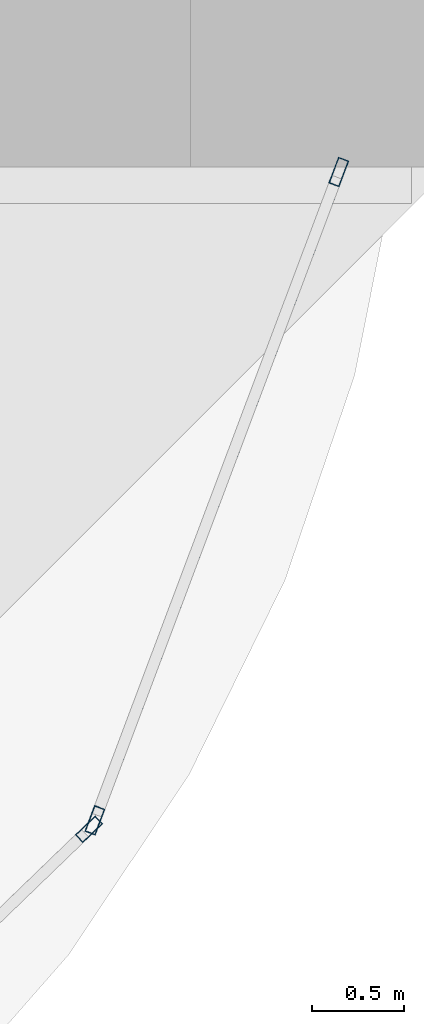
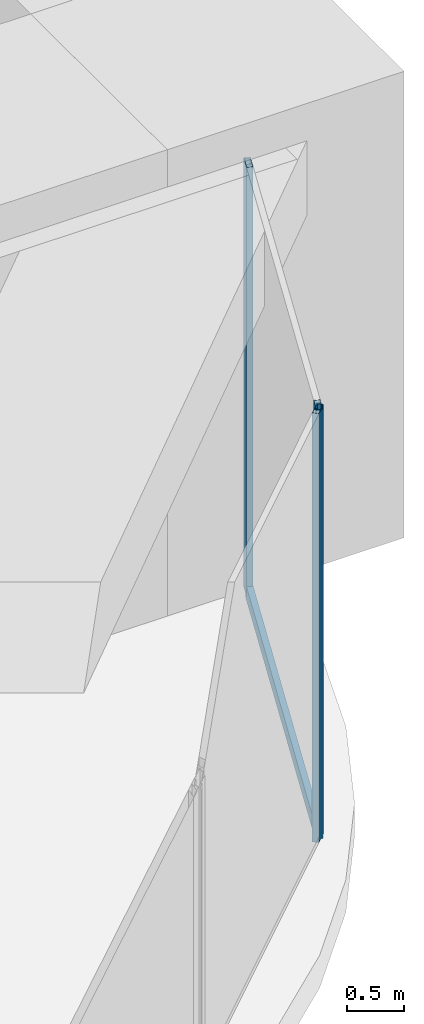
# One storey, part 18 of 38: 4 members, 2 elements without a shape of their own.
"""IFC4 building model written with IfcOpenShell, lengths in metres."""

from ifc_helpers import new_model, si_unit, direction, frame, origin, origin_2d, place, context, subcontext, project, spatial, hollow_rectangle, extrude, material, material_profile, profile_set, type_object, element, aggregate, save


model = new_model("IFC4")

# Units and contexts
model_context = context("Model", 3, precision=1e-05, world=origin(), true_north=direction((0.0, 1.0)))
body_context = subcontext(model_context, "Body", "Model", "MODEL_VIEW")
ifc_project = project(units=[si_unit("LENGTHUNIT", "METRE"), si_unit("AREAUNIT", "SQUARE_METRE"), si_unit("VOLUMEUNIT", "CUBIC_METRE"), si_unit("PLANEANGLEUNIT", "RADIAN"), si_unit("MASSUNIT", "GRAM", prefix="KILO")], contexts=[model_context])

# Site, building, storey
site_placement = place(None, origin())
site = spatial("IfcSite", under=ifc_project, at=site_placement, CompositionType="ELEMENT")
building_placement = place(site_placement, origin())
building = spatial("IfcBuilding", under=site, at=building_placement, Name="Zorevar Civic Tower", CompositionType="ELEMENT")
storey_placement = place(building_placement, frame((0.0, 0.0, 157.199951171875)))
storey = spatial("IfcBuildingStorey", under=building, at=storey_placement, Name="L38", CompositionType="ELEMENT", Elevation=157.199951171875)

# Curtain wall, member
ifc_material_1 = material(Name="Black aluminium louvres", Category="aluminium")
curtain_wall_type = type_object("IfcCurtainWallType", Name="Louvred curtain wall CW6 refuge", PredefinedType="NOTDEFINED", material=ifc_material_1)
curtain_wall_1_placement = place(storey_placement, origin())
curtain_wall_1 = element("IfcCurtainWall", 1, at=curtain_wall_1_placement, inside=storey, type_object=curtain_wall_type, Name="CW6 L38", PredefinedType="NOTDEFINED")
ifc_material_2 = material(Name="Aluminium, black anodised", Category="aluminium")
ifc_material_profile_1 = material_profile(ifc_material_2, hollow_rectangle(XDim=0.06005859375, YDim=0.14990234375, WallThickness=0.00390625, at=origin_2d()), Name="AL 150x60x4")
ifc_profile_set_1 = profile_set([ifc_material_profile_1], Name="Aluminium, black anodised")
member_type_1 = type_object("IfcMemberType", Name="CW6 mullion AL 150x60x4", PredefinedType="MULLION", material=ifc_profile_set_1)
member_1_placement = place(storey_placement, frame((61.249267578125, 4.201904296875, 0.0), z_axis=(0.0, 0.0, 1.0), x_axis=(-0.694719089155, 0.719281160023, 0.0)))
member_1 = element("IfcMember", 2, at=member_1_placement, type_object=member_type_1, Name="CW6 mullion 2", PredefinedType="MULLION", context=body_context, shape_type="SweptSolid", body=[
    extrude(hollow_rectangle(XDim=0.06005859375, YDim=0.14990234375, WallThickness=0.00390625, at=origin_2d()), origin(), (0.0, 0.0, 1.0), 4.60009765625),
])
aggregate(curtain_wall_1, [member_1])

# Curtain wall, members
curtain_wall_2_placement = place(storey_placement, origin())
curtain_wall_2 = element("IfcCurtainWall", 3, at=curtain_wall_2_placement, inside=storey, type_object=curtain_wall_type, Name="CW6 L38", PredefinedType="NOTDEFINED")
member_2_placement = place(storey_placement, frame((61.281494140625, 4.250732421875, 0.0), z_axis=(0.0, 0.0, 1.0), x_axis=(-0.935950528564, 0.352131520999, 0.0)))
member_2 = element("IfcMember", 4, at=member_2_placement, type_object=member_type_1, Name="CW6 mullion 1", PredefinedType="MULLION", context=body_context, shape_type="SweptSolid", body=[
    extrude(hollow_rectangle(XDim=0.06005859375, YDim=0.14990234375, WallThickness=0.00390625, at=origin_2d()), origin(), (0.0, 0.0, 1.0), 4.60009765625),
])
member_3_placement = place(storey_placement, frame((62.606201171875, 7.77197265625, 0.0), z_axis=(0.0, 0.0, 1.0), x_axis=(-0.935950528564, 0.352131520999, 0.0)))
member_3 = element("IfcMember", 5, at=member_3_placement, type_object=member_type_1, Name="CW6 mullion 2", PredefinedType="MULLION", context=body_context, shape_type="SweptSolid", body=[
    extrude(hollow_rectangle(XDim=0.06005859375, YDim=0.14990234375, WallThickness=0.00390625, at=origin_2d()), origin(), (0.0, 0.0, 1.0), 4.60009765625),
])
ifc_material_3 = material(Name="Aluminium, black anodised", Category="aluminium")
ifc_material_profile_2 = material_profile(ifc_material_3, hollow_rectangle(XDim=0.06005859375, YDim=0.14990234375, WallThickness=0.00390625, at=origin_2d()), Name="AL 150x60x4")
ifc_profile_set_2 = profile_set([ifc_material_profile_2], Name="Aluminium, black anodised")
member_type_2 = type_object("IfcMemberType", Name="CW6 transom AL 150x60x4", PredefinedType="USERDEFINED", material=ifc_profile_set_2)
member_4_placement = place(storey_placement, frame((61.2919921875, 4.27880859375, 0.030029296875), z_axis=(0.352142207579, 0.935946507895, 0.0), x_axis=(-0.935946507895, 0.352142207579, 0.0)))
member_4 = element("IfcMember", 6, at=member_4_placement, type_object=member_type_2, Name="CW6 sill transom", ObjectType="TRANSOM", PredefinedType="USERDEFINED", context=body_context, shape_type="SweptSolid", body=[
    extrude(hollow_rectangle(XDim=0.06005859375, YDim=0.14990234375, WallThickness=0.00390625, at=origin_2d()), origin(), (0.0, 0.0, 1.0), 3.7021484375),
])
aggregate(curtain_wall_2, [member_2, member_3, member_4])

save(model, "model.ifc")
